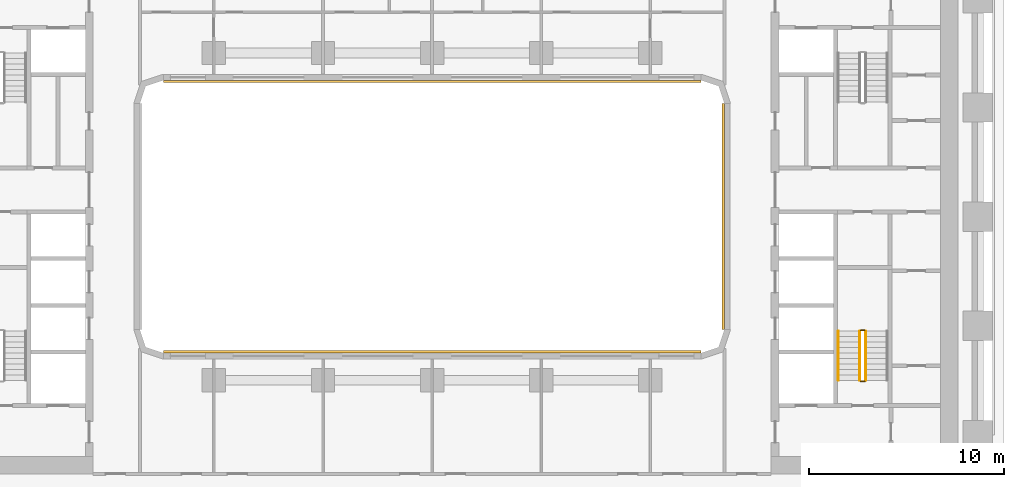
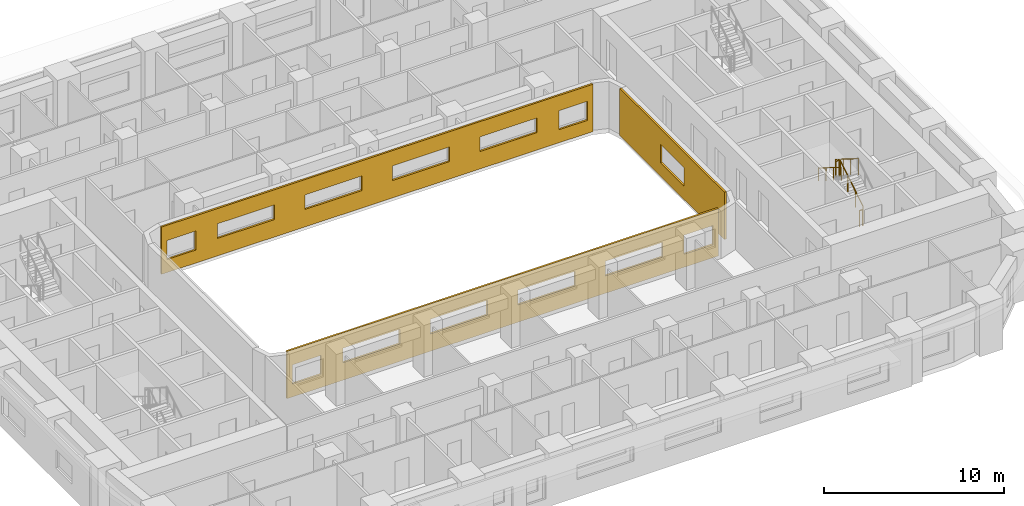
# One storey, part 16 of 21: 5 railings, 3 coverings.
"""IFC4 building model written with IfcOpenShell, lengths in metres."""

from ifc_helpers import new_model, si_unit, direction, frame, origin, origin_2d, place, context, subcontext, project, spatial, polyline, circle, outline, extrude, material, layer, layer_set, type_object, element, save


model = new_model("IFC4")

# Units and contexts
model_context = context("Model", 3, precision=1e-05, world=origin(), true_north=direction((0.0, 1.0)))
body_context = subcontext(model_context, "Body", "Model", "MODEL_VIEW")
ifc_project = project(units=[si_unit("LENGTHUNIT", "METRE"), si_unit("AREAUNIT", "SQUARE_METRE"), si_unit("VOLUMEUNIT", "CUBIC_METRE"), si_unit("PLANEANGLEUNIT", "RADIAN"), si_unit("MASSUNIT", "GRAM", prefix="KILO")], contexts=[model_context])

# Site, building, storey
site_placement = place(None, origin())
site = spatial("IfcSite", under=ifc_project, at=site_placement, CompositionType="ELEMENT")
building_placement = place(site_placement, origin())
building = spatial("IfcBuilding", under=site, at=building_placement, Name="Kiln Ring Residences", CompositionType="ELEMENT")
storey_placement = place(building_placement, frame((0.0, 0.0, 48.0)))
storey = spatial("IfcBuildingStorey", under=building, at=storey_placement, Name="L11", CompositionType="ELEMENT", Elevation=48.0)

# Railings
ifc_material_1 = material(Name="Stainless steel", Category="steel")
railing_type_1 = type_object("IfcRailingType", Name="CORE-STAIR-GUARD", PredefinedType="GUARDRAIL", material=ifc_material_1)
railing_1_placement = place(storey_placement, frame((22.25, -8.39990234375, 0.175048828125)))
element("IfcRailing", 1, at=railing_1_placement, inside=storey, type_object=railing_type_1, Name="L11 E-STS stair guard 1", PredefinedType="GUARDRAIL", context=body_context, shape_type="SweptSolid", body=[
    extrude(circle(Radius=0.02392578125, at=origin_2d()), frame((0.0, 0.0, 1.076171875), z_axis=(0.0, 0.848007534815, 0.529984170421), x_axis=(-1.0, 0.0, 0.0)), (0.0, 0.0, 1.0), 2.9716796875),
    extrude(circle(Radius=0.02099609375, at=origin_2d()), origin(), (0.0, 0.0, 1.0), 1.052001953125),
    extrude(circle(Radius=0.02099609375, at=origin_2d()), frame((0.0, 0.840087890625, 0.52490234375)), (0.0, 0.0, 1.0), 1.052001953125),
    extrude(circle(Radius=0.02099609375, at=origin_2d()), frame((0.0, 1.679931640625, 1.050048828125)), (0.0, 0.0, 1.0), 1.052001953125),
    extrude(circle(Radius=0.02099609375, at=origin_2d()), frame((0.0, 2.52001953125, 1.574951171875)), (0.0, 0.0, 1.0), 1.052001953125),
])
railing_2_placement = place(storey_placement, frame((22.199951171875, -5.830078125, 1.75)))
element("IfcRailing", 2, at=railing_2_placement, inside=storey, type_object=railing_type_1, Name="L11 E-STS stair guard 2", PredefinedType="GUARDRAIL", context=body_context, shape_type="SweptSolid", body=[
    extrude(circle(Radius=0.02392578125, at=origin_2d()), frame((0.0, 0.0, 1.076171875), z_axis=(-1.0, 0.0, 0.0), x_axis=(0.0, -1.0, 0.0)), (0.0, 0.0, 1.0), 0.199951171875),
    extrude(circle(Radius=0.02099609375, at=origin_2d()), origin(), (0.0, 0.0, 1.0), 1.052001953125),
    extrude(circle(Radius=0.02099609375, at=origin_2d()), frame((-0.199951171875, 0.0, 0.0)), (0.0, 0.0, 1.0), 1.052001953125),
])
railing_3_placement = place(storey_placement, frame((21.949951171875, -5.8798828125, 1.925048828125)))
element("IfcRailing", 3, at=railing_3_placement, inside=storey, type_object=railing_type_1, Name="L11 E-STS stair guard 3", PredefinedType="GUARDRAIL", context=body_context, shape_type="SweptSolid", body=[
    extrude(circle(Radius=0.02392578125, at=origin_2d()), frame((0.0, 0.0, 1.076171875), z_axis=(0.0, -0.848007534815, 0.529984170421), x_axis=(1.0, 0.0, 0.0)), (0.0, 0.0, 1.0), 2.9716796875),
    extrude(circle(Radius=0.02099609375, at=origin_2d()), origin(), (0.0, 0.0, 1.0), 1.052001953125),
    extrude(circle(Radius=0.02099609375, at=origin_2d()), frame((0.0, -0.840087890625, 0.52490234375)), (0.0, 0.0, 1.0), 1.052001953125),
    extrude(circle(Radius=0.02099609375, at=origin_2d()), frame((0.0, -1.679931640625, 1.050048828125)), (0.0, 0.0, 1.0), 1.052001953125),
    extrude(circle(Radius=0.02099609375, at=origin_2d()), frame((0.0, -2.52001953125, 1.574951171875)), (0.0, 0.0, 1.0), 1.052001953125),
])
railing_4_placement = place(storey_placement, frame((22.199951171875, -8.449951171875, 0.0)))
element("IfcRailing", 4, at=railing_4_placement, inside=storey, type_object=railing_type_1, Name="L11 E-STS stair guard 4", PredefinedType="GUARDRAIL", context=body_context, shape_type="SweptSolid", body=[
    extrude(circle(Radius=0.02392578125, at=origin_2d()), frame((0.0, 0.0, 1.076171875), z_axis=(-1.0, 0.0, 0.0), x_axis=(0.0, -1.0, 0.0)), (0.0, 0.0, 1.0), 0.199951171875),
    extrude(circle(Radius=0.02099609375, at=origin_2d()), origin(), (0.0, 0.0, 1.0), 1.052001953125),
    extrude(circle(Radius=0.02099609375, at=origin_2d()), frame((-0.199951171875, 0.0, 0.0)), (0.0, 0.0, 1.0), 1.052001953125),
])
ifc_material_2 = material(Name="Stainless steel", Category="steel")
railing_type_2 = type_object("IfcRailingType", Name="CORE-STAIR-HANDRAIL", PredefinedType="HANDRAIL", material=ifc_material_2)
railing_5_placement = place(storey_placement, frame((20.85009765625, -5.8798828125, 1.925048828125)))
element("IfcRailing", 5, at=railing_5_placement, inside=storey, type_object=railing_type_2, Name="L11 E-STS stair handrail 2", PredefinedType="HANDRAIL", context=body_context, shape_type="SweptSolid", body=[
    extrude(circle(Radius=0.02392578125, at=origin_2d()), frame((0.0, 0.0, 0.8759765625), z_axis=(0.0, -0.848007534815, 0.529984170421), x_axis=(1.0, 0.0, 0.0)), (0.0, 0.0, 1.0), 2.9716796875),
    extrude(circle(Radius=0.02099609375, at=origin_2d()), origin(), (0.0, 0.0, 1.0), 0.851806640625),
    extrude(circle(Radius=0.02099609375, at=origin_2d()), frame((0.0, -0.840087890625, 0.52490234375)), (0.0, 0.0, 1.0), 0.851806640625),
    extrude(circle(Radius=0.02099609375, at=origin_2d()), frame((0.0, -1.679931640625, 1.050048828125)), (0.0, 0.0, 1.0), 0.851806640625),
    extrude(circle(Radius=0.02099609375, at=origin_2d()), frame((0.0, -2.52001953125, 1.574951171875)), (0.0, 0.0, 1.0), 0.851806640625),
])

# Coverings
ifc_material_3 = material(Name="Brick masonry, dark clay brick", Category="masonry")
ifc_layer = layer(ifc_material_3, 0.1201171875)
ifc_layer_set = layer_set([ifc_layer], Name="RAINSCREEN PANEL 120")
covering_type = type_object("IfcCoveringType", Name="RAINSCREEN PANEL 120", PredefinedType="CLADDING", material=ifc_layer_set)
covering_1_placement = place(storey_placement, frame((-13.800048828125, 6.93994140625, 0.0), z_axis=(0.0, 0.0, 1.0), x_axis=(1.0, 0.0, 0.0)))
element("IfcCovering", 6, at=covering_1_placement, inside=storey, type_object=covering_type, Name="RAINSCREEN L11", PredefinedType="CLADDING", context=body_context, shape_type="SweptSolid", body=[
    extrude(outline(polyline([(0.0, 0.0), (27.60009765625, 0.0), (27.60009765625, 3.199951171875), (0.0, 3.199951171875), (0.0, 0.0)]), holes=[polyline([(2.1826171875, 0.8798828125), (2.1826171875, 2.169921875), (0.342529296875, 2.169921875), (0.342529296875, 0.8798828125), (2.1826171875, 0.8798828125)]), polyline([(25.41748046875, 0.8798828125), (27.257568359375, 0.8798828125), (27.257568359375, 2.169921875), (25.41748046875, 2.169921875), (25.41748046875, 0.8798828125)]), polyline([(3.580078125, 1.179931640625), (7.219970703125, 1.179931640625), (7.219970703125, 2.169921875), (3.580078125, 2.169921875), (3.580078125, 1.179931640625)]), polyline([(12.820068359375, 1.179931640625), (12.820068359375, 2.169921875), (9.179931640625, 2.169921875), (9.179931640625, 1.179931640625), (12.820068359375, 1.179931640625)]), polyline([(14.780029296875, 1.179931640625), (18.419921875, 1.179931640625), (18.419921875, 2.169921875), (14.780029296875, 2.169921875), (14.780029296875, 1.179931640625)]), polyline([(20.3798828125, 1.179931640625), (24.02001953125, 1.179931640625), (24.02001953125, 2.169921875), (20.3798828125, 2.169921875), (20.3798828125, 1.179931640625)])]), frame((0.0, 0.06005859375, 0.0), z_axis=(0.0, -1.0, 0.0), x_axis=(1.0, 0.0, 0.0)), (0.0, 0.0, 1.0), 0.1201171875),
])
covering_2_placement = place(storey_placement, frame((14.93994140625, 5.800048828125, 0.0), z_axis=(0.0, 0.0, 1.0), x_axis=(0.0, -1.0, 0.0)))
element("IfcCovering", 7, at=covering_2_placement, inside=storey, type_object=covering_type, Name="RAINSCREEN L11", PredefinedType="CLADDING", context=body_context, shape_type="SweptSolid", body=[
    extrude(outline(polyline([(0.0, 0.0), (11.60009765625, 0.0), (11.60009765625, 3.199951171875), (0.0, 3.199951171875), (0.0, 0.0)]), holes=[polyline([(4.5, 2.14990234375), (4.5, 0.89990234375), (7.10009765625, 0.89990234375), (7.10009765625, 2.14990234375), (4.5, 2.14990234375)])]), frame((0.0, 0.06005859375, 0.0), z_axis=(0.0, -1.0, 0.0), x_axis=(1.0, 0.0, 0.0)), (0.0, 0.0, 1.0), 0.1201171875),
])
covering_3_placement = place(storey_placement, frame((13.800048828125, -6.93994140625, 0.0), z_axis=(0.0, 0.0, 1.0), x_axis=(-1.0, 0.0, 0.0)))
element("IfcCovering", 8, at=covering_3_placement, inside=storey, type_object=covering_type, Name="RAINSCREEN L11", PredefinedType="CLADDING", context=body_context, shape_type="SweptSolid", body=[
    extrude(outline(polyline([(0.0, 0.0), (27.60009765625, 0.0), (27.60009765625, 3.199951171875), (0.0, 3.199951171875), (0.0, 0.0)]), holes=[polyline([(2.1826171875, 0.8798828125), (2.1826171875, 2.169921875), (0.342529296875, 2.169921875), (0.342529296875, 0.8798828125), (2.1826171875, 0.8798828125)]), polyline([(25.41748046875, 0.8798828125), (27.257568359375, 0.8798828125), (27.257568359375, 2.169921875), (25.41748046875, 2.169921875), (25.41748046875, 0.8798828125)]), polyline([(3.580078125, 1.179931640625), (7.219970703125, 1.179931640625), (7.219970703125, 2.169921875), (3.580078125, 2.169921875), (3.580078125, 1.179931640625)]), polyline([(12.820068359375, 1.179931640625), (12.820068359375, 2.169921875), (9.179931640625, 2.169921875), (9.179931640625, 1.179931640625), (12.820068359375, 1.179931640625)]), polyline([(14.780029296875, 1.179931640625), (18.419921875, 1.179931640625), (18.419921875, 2.169921875), (14.780029296875, 2.169921875), (14.780029296875, 1.179931640625)]), polyline([(20.3798828125, 1.179931640625), (24.02001953125, 1.179931640625), (24.02001953125, 2.169921875), (20.3798828125, 2.169921875), (20.3798828125, 1.179931640625)])]), frame((0.0, 0.06005859375, 0.0), z_axis=(0.0, -1.0, 0.0), x_axis=(1.0, 0.0, 0.0)), (0.0, 0.0, 1.0), 0.1201171875),
])

save(model, "model.ifc")
